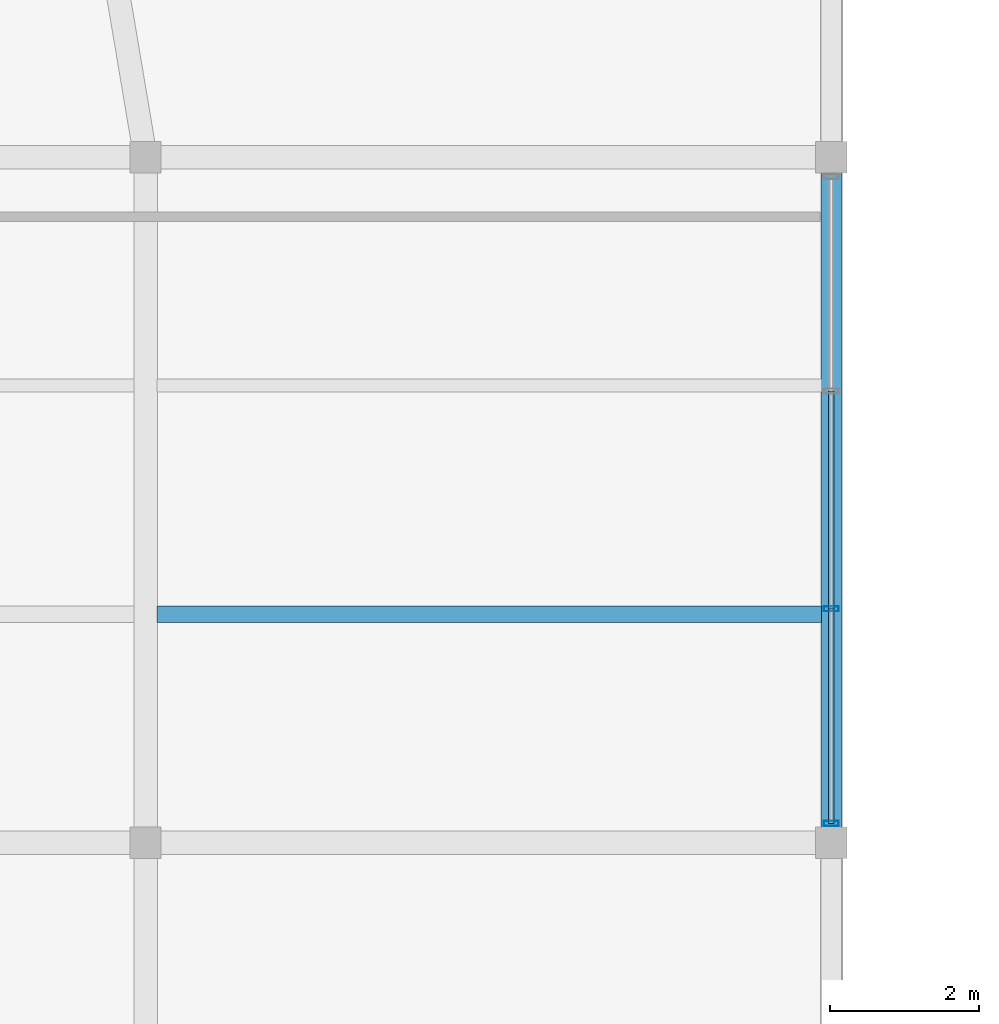
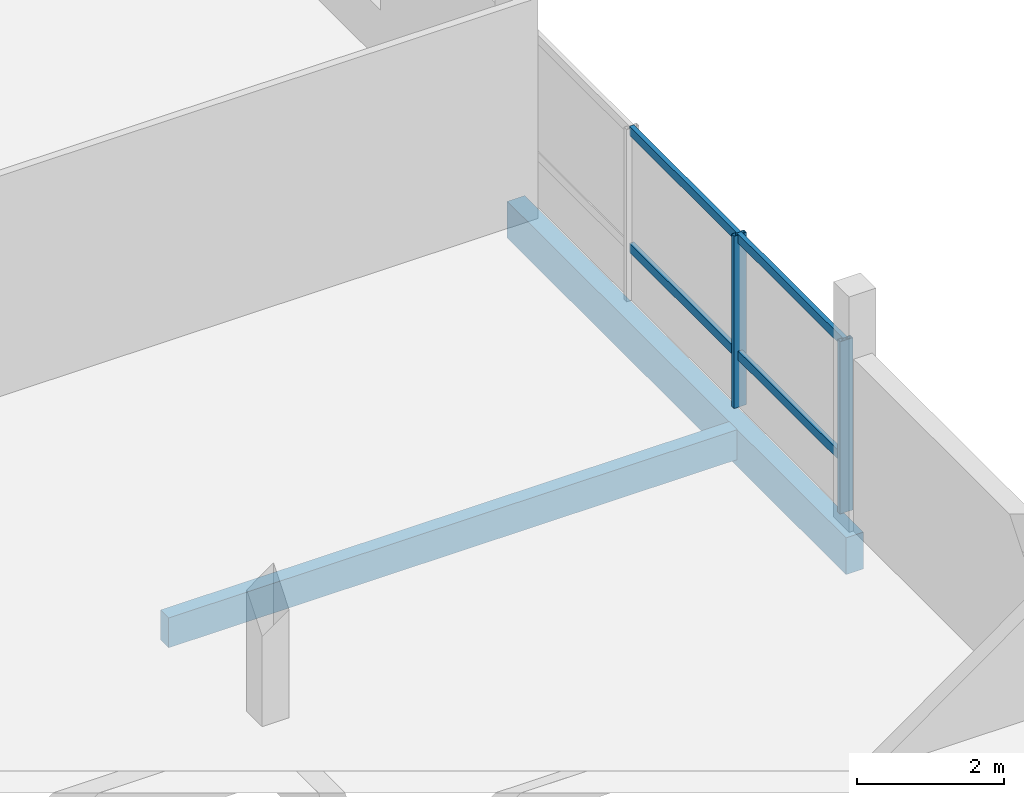
# One storey, part 15 of 47: 6 members, 2 beams, 1 element without a shape of its own.
"""IFC4 building model written with IfcOpenShell, lengths in metres."""

from ifc_helpers import new_model, si_unit, direction, frame, origin, origin_2d, place, context, subcontext, project, spatial, rectangle, hollow_rectangle, extrude, material, layer, layer_set, material_profile, profile_set, type_object, element, aggregate, save


model = new_model("IFC4")

# Units and contexts
model_context = context("Model", 3, precision=1e-05, world=origin(), true_north=direction((0.0, 1.0)))
body_context = subcontext(model_context, "Body", "Model", "MODEL_VIEW")
ifc_project = project(units=[si_unit("LENGTHUNIT", "METRE"), si_unit("AREAUNIT", "SQUARE_METRE"), si_unit("VOLUMEUNIT", "CUBIC_METRE"), si_unit("PLANEANGLEUNIT", "RADIAN"), si_unit("MASSUNIT", "GRAM", prefix="KILO")], contexts=[model_context])

# Site, building, storey
site_placement = place(None, origin())
site = spatial("IfcSite", under=ifc_project, at=site_placement, CompositionType="ELEMENT")
building_placement = place(site_placement, origin())
building = spatial("IfcBuilding", under=site, at=building_placement, Name="Meriwether Solvik Hall", CompositionType="ELEMENT")
storey_placement = place(building_placement, frame((0.0, 0.0, 18.300048828125)))
storey = spatial("IfcBuildingStorey", under=building, at=storey_placement, Name="L04", CompositionType="ELEMENT", Elevation=18.300048828125)

# Beam
ifc_material_1 = material(Name="Glulam Douglas-Fir 24F-V8 GL28h", Category="wood")
ifc_material_profile_1 = material_profile(ifc_material_1, rectangle(XDim=0.27294921875, YDim=0.610107421875, at=origin_2d()), Name="GLB-273X610")
ifc_profile_set_1 = profile_set([ifc_material_profile_1], Name="Glulam Douglas-Fir 24F-V8 GL28h")
beam_type_1 = type_object("IfcBeamType", Name="BM-GL-273X610", PredefinedType="SPANDREL", material=ifc_profile_set_1)
beam_1_placement = place(storey_placement, frame((114.199951171875, 32.0, -0.550048828125), z_axis=(0.0, 1.0, 0.0), x_axis=(-1.0, 0.0, 0.0)))
element("IfcBeam", 1, at=beam_1_placement, inside=storey, type_object=beam_type_1, Name="Podium Girder 13:D-E (L04)", PredefinedType="SPANDREL", context=body_context, shape_type="SweptSolid", body=[
    extrude(rectangle(XDim=0.27294921875, YDim=0.610107421875, at=origin_2d()), origin(), (0.0, 0.0, 1.0), 9.199951171875),
])

# Curtain wall, members
ifc_material_2 = material(Name="Thermally Broken Anodised Aluminium 6063-T6 and Low-E Glass", Category="aluminium")
ifc_layer = layer(ifc_material_2, 0.179931640625)
ifc_layer_set = layer_set([ifc_layer], Name="Thermally Broken Anodised Aluminium 6063-T6 and Low-E Glass")
curtain_wall_type = type_object("IfcCurtainWallType", Name="CW-UNIT-E", PredefinedType="USERDEFINED", material=ifc_layer_set)
curtain_wall_placement = place(storey_placement, origin())
curtain_wall = element("IfcCurtainWall", 2, at=curtain_wall_placement, inside=storey, type_object=curtain_wall_type, Name="Curtain Wall wing_Y13_4_25 (L04)", ObjectType="UNITISED CURTAIN WALL", PredefinedType="USERDEFINED")
ifc_material_3 = material(Name="Anodised Aluminium 6063-T6", Category="aluminium")
ifc_material_profile_2 = material_profile(ifc_material_3, hollow_rectangle(XDim=0.070068359375, YDim=0.199951171875, WallThickness=0.0048828125, at=origin_2d()), Name="CWM-70X200")
ifc_profile_set_2 = profile_set([ifc_material_profile_2], Name="Anodised Aluminium 6063-T6")
member_type_1 = type_object("IfcMemberType", Name="CW-MUL-70X200", PredefinedType="MULLION", material=ifc_profile_set_2)
member_1_placement = place(storey_placement, frame((114.199951171875, 35.140625, 0.0), z_axis=(0.0, 0.0, 1.0), x_axis=(0.0, -1.0, 0.0)))
member_1 = element("IfcMember", 3, at=member_1_placement, type_object=member_type_1, Name="Curtain Wall Mullion 3", PredefinedType="MULLION", context=body_context, shape_type="SweptSolid", body=[
    extrude(hollow_rectangle(XDim=0.070068359375, YDim=0.199951171875, WallThickness=0.0048828125, at=origin_2d()), origin(), (0.0, 0.0, 1.0), 2.85498046875),
])
member_2_placement = place(storey_placement, frame((114.199951171875, 32.260009765625, 0.0), z_axis=(0.0, 0.0, 1.0), x_axis=(0.0, -1.0, 0.0)))
member_2 = element("IfcMember", 4, at=member_2_placement, type_object=member_type_1, Name="Curtain Wall Mullion 4", PredefinedType="MULLION", context=body_context, shape_type="SweptSolid", body=[
    extrude(hollow_rectangle(XDim=0.070068359375, YDim=0.199951171875, WallThickness=0.0048828125, at=origin_2d()), origin(), (0.0, 0.0, 1.0), 2.85498046875),
])
ifc_material_4 = material(Name="Anodised Aluminium 6063-T6", Category="aluminium")
ifc_material_profile_3 = material_profile(ifc_material_4, hollow_rectangle(XDim=0.070068359375, YDim=0.14990234375, WallThickness=0.0048828125, at=origin_2d()), Name="CWT-70X150")
ifc_profile_set_3 = profile_set([ifc_material_profile_3], Name="Anodised Aluminium 6063-T6")
member_type_2 = type_object("IfcMemberType", Name="CW-TRN-70X150", PredefinedType="USERDEFINED", material=ifc_profile_set_3)
member_3_placement = place(storey_placement, frame((114.199951171875, 38.059326171875, 0.8564453125), z_axis=(0.0, -1.0, 0.0), x_axis=(1.0, 0.0, 0.0)))
member_3 = element("IfcMember", 5, at=member_3_placement, type_object=member_type_2, Name="Curtain Wall Transom 2-sill", ObjectType="TRANSOM", PredefinedType="USERDEFINED", context=body_context, shape_type="SweptSolid", body=[
    extrude(hollow_rectangle(XDim=0.070068359375, YDim=0.14990234375, WallThickness=0.0048828125, at=origin_2d()), origin(), (0.0, 0.0, 1.0), 2.918701171875),
])
member_4_placement = place(storey_placement, frame((114.199951171875, 38.059326171875, 2.794921875), z_axis=(0.0, -1.0, 0.0), x_axis=(1.0, 0.0, 0.0)))
member_4 = element("IfcMember", 6, at=member_4_placement, type_object=member_type_2, Name="Curtain Wall Transom 2-head", ObjectType="TRANSOM", PredefinedType="USERDEFINED", context=body_context, shape_type="SweptSolid", body=[
    extrude(hollow_rectangle(XDim=0.070068359375, YDim=0.14990234375, WallThickness=0.0048828125, at=origin_2d()), origin(), (0.0, 0.0, 1.0), 2.918701171875),
])
member_5_placement = place(storey_placement, frame((114.199951171875, 35.140625, 0.8564453125), z_axis=(0.0, -1.0, 0.0), x_axis=(1.0, 0.0, 0.0)))
member_5 = element("IfcMember", 7, at=member_5_placement, type_object=member_type_2, Name="Curtain Wall Transom 3-sill", ObjectType="TRANSOM", PredefinedType="USERDEFINED", context=body_context, shape_type="SweptSolid", body=[
    extrude(hollow_rectangle(XDim=0.070068359375, YDim=0.14990234375, WallThickness=0.0048828125, at=origin_2d()), origin(), (0.0, 0.0, 1.0), 2.880615234375),
])
member_6_placement = place(storey_placement, frame((114.199951171875, 35.140625, 2.794921875), z_axis=(0.0, -1.0, 0.0), x_axis=(1.0, 0.0, 0.0)))
member_6 = element("IfcMember", 8, at=member_6_placement, type_object=member_type_2, Name="Curtain Wall Transom 3-head", ObjectType="TRANSOM", PredefinedType="USERDEFINED", context=body_context, shape_type="SweptSolid", body=[
    extrude(hollow_rectangle(XDim=0.070068359375, YDim=0.14990234375, WallThickness=0.0048828125, at=origin_2d()), origin(), (0.0, 0.0, 1.0), 2.880615234375),
])
aggregate(curtain_wall, [member_1, member_2, member_3, member_4, member_5, member_6])

# Beam
ifc_material_5 = material(Name="Glulam Douglas-Fir 24F-V8 GL28h", Category="wood")
ifc_material_profile_4 = material_profile(ifc_material_5, rectangle(XDim=0.221923828125, YDim=0.4951171875, at=origin_2d()), Name="GLJ-222X495")
ifc_profile_set_4 = profile_set([ifc_material_profile_4], Name="Glulam Douglas-Fir 24F-V8 GL28h")
beam_type_2 = type_object("IfcBeamType", Name="JST-GL-222X495", PredefinedType="JOIST", material=ifc_profile_set_4)
beam_2_placement = place(storey_placement, frame((105.152587890625, 35.066650390625, -0.492431640625), z_axis=(1.0, 0.0, 0.0), x_axis=(0.0, 1.0, 0.0)))
element("IfcBeam", 9, at=beam_2_placement, inside=storey, type_object=beam_type_2, Name="Secondary Floor Joist 12/D_J1 (L04)", PredefinedType="JOIST", context=body_context, shape_type="SweptSolid", body=[
    extrude(rectangle(XDim=0.221923828125, YDim=0.4951171875, at=origin_2d()), origin(), (0.0, 0.0, 1.0), 8.916015625),
])

save(model, "model.ifc")
